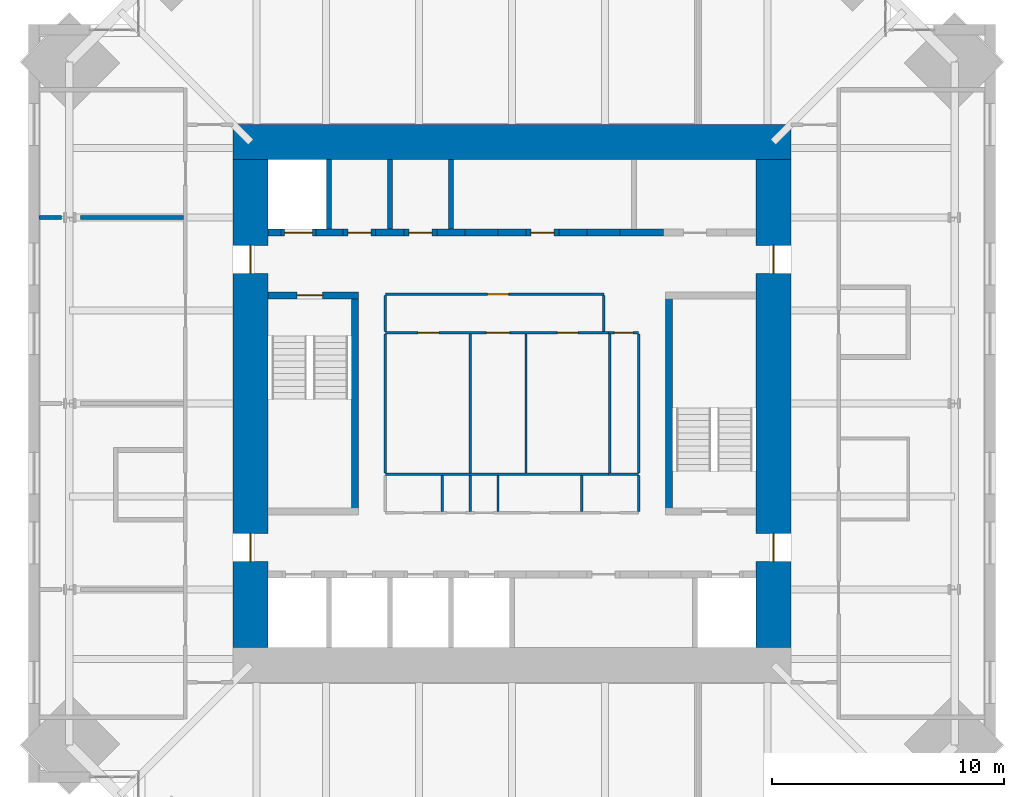
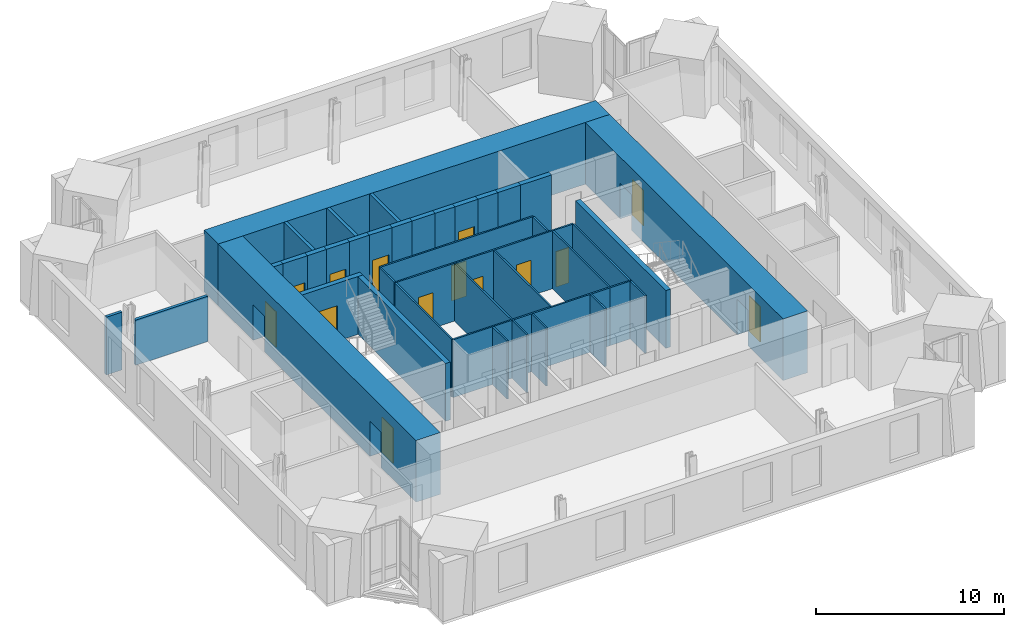
# One storey, part 12 of 15: 41 walls, 14 doors, 14 openings.
"""IFC4 building model written with IfcOpenShell, lengths in metres."""

import ifcopenshell
import ifcopenshell.guid

model = None  # the IFC model being written
_history = None  # IfcOwnerHistory: only IFC2X3 demands one
_inside = {}  # id of a spatial element -> (the spatial element, [elements in it])
_under = {}  # id of a project, library or spatial element -> (it, [spatial elements below it])
_declared = {}  # id of a project -> (the project, [libraries it declares])
_typed = {}  # id of a type object -> (the type object, [elements of that type])
_made_of = {}  # id of a material, layer set ... -> (it, [elements and type objects made of it])


def new_model(schema):
    """Start an empty IFC model of exactly this schema.

    Asked for "IFC4X3", IfcOpenShell would pick the latest addendum, in which some entities
    have other attributes; the version numbers below select the first issue.
    IFC2X3 requires an IfcOwnerHistory on every rooted entity: one is made here for all.
    """
    global model, _history
    if schema == "IFC4X3":
        model = ifcopenshell.file(schema_version=(4, 3, 0, 0))
    else:
        model = ifcopenshell.file(schema=schema)
    _inside.clear()
    _under.clear()
    _declared.clear()
    _typed.clear()
    _made_of.clear()
    _history = None
    if model.schema == "IFC2X3":
        org = make("IfcOrganization", Name="unknown")
        user = make(
            "IfcPersonAndOrganization",
            ThePerson=make("IfcPerson", FamilyName="unknown"),
            TheOrganization=org,
        )
        app = make(
            "IfcApplication",
            ApplicationDeveloper=org,
            Version="unknown",
            ApplicationFullName="unknown",
            ApplicationIdentifier="unknown",
        )
        _history = make(
            "IfcOwnerHistory",
            OwningUser=user,
            OwningApplication=app,
            ChangeAction="ADDED",
            CreationDate=0,
        )
    return model


def make(cls, **values):
    """One entity of the class cls with the attributes given. An attribute that is None is left unset."""
    return model.create_entity(
        cls, **{name: value for name, value in values.items() if value is not None}
    )


def rooted(cls, **values):
    """An entity with a GlobalId (a new one), such as an element, a storey or a relation."""
    return make(cls, GlobalId=ifcopenshell.guid.new(), OwnerHistory=_history, **values)


def si_unit(unit_type, name, prefix=None):
    """IfcSIUnit, for example si_unit("LENGTHUNIT", "METRE", prefix="MILLI")."""
    return make("IfcSIUnit", UnitType=unit_type, Prefix=prefix, Name=name)


def assignment(units):
    """IfcUnitAssignment: the units of a project."""
    return None if units is None else make("IfcUnitAssignment", Units=units)


def point(xyz):
    """IfcCartesianPoint."""
    return None if xyz is None else make("IfcCartesianPoint", Coordinates=xyz)


def direction(xyz):
    """IfcDirection."""
    return None if xyz is None else make("IfcDirection", DirectionRatios=xyz)


def frame(location, z_axis=None, x_axis=None):
    """IfcAxis2Placement3D, a coordinate frame: its origin and axes. An axis left out is left unset."""
    return make(
        "IfcAxis2Placement3D",
        Location=point(location),
        Axis=direction(z_axis),
        RefDirection=direction(x_axis),
    )


def frame_2d(location, x_axis=None):
    """IfcAxis2Placement2D, a coordinate frame in the plane: its origin and x axis."""
    return make(
        "IfcAxis2Placement2D", Location=point(location), RefDirection=direction(x_axis)
    )


def origin():
    """The frame at (0, 0, 0) with its axes left unset."""
    return frame((0.0, 0.0, 0.0))


def place(relative_to, where):
    """IfcLocalPlacement: puts the frame where relative to a parent placement (None: the world)."""
    return make(
        "IfcLocalPlacement", PlacementRelTo=relative_to, RelativePlacement=where
    )


def context(
    kind, dimensions, precision=None, world=None, true_north=None, identifier=None
):
    """IfcGeometricRepresentationContext, for example the 3D "Model" context."""
    return make(
        "IfcGeometricRepresentationContext",
        ContextIdentifier=identifier,
        ContextType=kind,
        CoordinateSpaceDimension=dimensions,
        Precision=precision,
        WorldCoordinateSystem=world,
        TrueNorth=true_north,
    )


def subcontext(parent, identifier, kind, view, scale=None):
    """IfcGeometricRepresentationSubContext, for example "Body" below "Model"."""
    return make(
        "IfcGeometricRepresentationSubContext",
        ContextIdentifier=identifier,
        ContextType=kind,
        ParentContext=parent,
        TargetScale=scale,
        TargetView=view,
    )


def project(units=None, contexts=None):
    """IfcProject with its units and contexts."""
    return rooted(
        "IfcProject",
        Name="project",
        RepresentationContexts=contexts,
        UnitsInContext=assignment(units),
    )


def spatial(cls, under=None, at=None, **own):
    """A site, building, storey or space (cls), placed at a placement, below another one or the project."""
    s = rooted(cls, ObjectPlacement=at, **own)
    if under is not None:
        _under.setdefault(under.id(), (under, []))[1].append(s)
    return s


def profile(cls, at=None, kind="AREA", **sizes):
    """A parametric profile (cls). Its sizes go by their IFC names, for example OverallWidth=200.0."""
    return make(cls, ProfileType=kind, Position=at, **sizes)


def rectangle(**sizes):
    """IfcRectangleProfileDef."""
    return profile("IfcRectangleProfileDef", **sizes)


def extrude(swept, where, along, depth):
    """IfcExtrudedAreaSolid: the profile swept, set in the frame where, extruded along a direction by depth."""
    return make(
        "IfcExtrudedAreaSolid",
        SweptArea=swept,
        Position=where,
        ExtrudedDirection=direction(along),
        Depth=depth,
    )


def shape(context_of_items, identifier, shape_type, items):
    """IfcShapeRepresentation: the items that make up one representation, for example the "Body"."""
    return make(
        "IfcShapeRepresentation",
        ContextOfItems=context_of_items,
        RepresentationIdentifier=identifier,
        RepresentationType=shape_type,
        Items=items,
    )


def material(Name=None, Category=None):
    """IfcMaterial."""
    return make("IfcMaterial", Name=Name, Category=Category)


def layer(
    of_material, thickness, ventilated=None, Name=None, Category=None, Priority=None
):
    """IfcMaterialLayer: one layer of a wall or slab, of a material (None: an air gap)."""
    return make(
        "IfcMaterialLayer",
        Material=of_material,
        LayerThickness=thickness,
        IsVentilated=ventilated,
        Name=Name,
        Category=Category,
        Priority=Priority,
    )


def layer_set(layers, Name=None):
    """IfcMaterialLayerSet."""
    return make("IfcMaterialLayerSet", MaterialLayers=layers, LayerSetName=Name)


def made_of(thing, what):
    """Note that an element or type object is made of a material, layer set ...; save() writes the relation."""
    if what is not None:
        _made_of.setdefault(what.id(), (what, []))[1].append(thing)
    return thing


def type_object(cls, material=None, **own):
    """A type object (cls), such as IfcWallType, which elements share."""
    return made_of(rooted(cls, **own), material)


def element(
    cls,
    number,
    at=None,
    inside=None,
    cuts=None,
    type_object=None,
    material=None,
    context=None,
    identifier="Body",
    shape_type=None,
    held_by="IfcProductDefinitionShape",
    body=None,
    shapes=None,
    **own,
):
    """One element of the class cls, such as IfcWall. Its Tag is "e" and its number.

    at: its placement. inside: the storey or other place that contains it. cuts: it is an
    opening in that element (IfcRelVoidsElement). A single representation is given by context,
    identifier, shape_type and body (its items); several are given by shapes. held_by: the class
    of the entity that holds the representations. save() writes the other relations.
    """
    e = rooted(cls, Tag="e%d" % number, ObjectPlacement=at, **own)
    if body is not None:
        shapes = [shape(context, identifier, shape_type, body)]
    if shapes is not None:
        e.Representation = make(held_by, Representations=shapes)
    if inside is not None:
        _inside.setdefault(inside.id(), (inside, []))[1].append(e)
    if cuts is not None:
        rooted(
            "IfcRelVoidsElement", RelatingBuildingElement=cuts, RelatedOpeningElement=e
        )
    if type_object is not None:
        _typed.setdefault(type_object.id(), (type_object, []))[1].append(e)
    return made_of(e, material)


def fill(opening, filler):
    """IfcRelFillsElement: the door or window that sits in an opening."""
    return rooted(
        "IfcRelFillsElement",
        RelatingOpeningElement=opening,
        RelatedBuildingElement=filler,
    )


def aggregate(whole, parts):
    """IfcRelAggregates: a whole, such as a stair, and the parts it consists of."""
    return rooted("IfcRelAggregates", RelatingObject=whole, RelatedObjects=parts)


def save(model, path):
    """Write the relations noted so far, then the file.

    IfcRelAggregates (storeys below a building ...), IfcRelContainedInSpatialStructure (elements
    in a storey), IfcRelDefinesByType, IfcRelAssociatesMaterial and IfcRelDeclares: one each for
    every whole, place, type object, material and project.
    """
    for whole, parts in _under.values():
        aggregate(whole, parts)
    for where, things in _inside.values():
        rooted(
            "IfcRelContainedInSpatialStructure",
            RelatedElements=things,
            RelatingStructure=where,
        )
    for kind, things in _typed.values():
        rooted("IfcRelDefinesByType", RelatedObjects=things, RelatingType=kind)
    for what, things in _made_of.values():
        rooted("IfcRelAssociatesMaterial", RelatedObjects=things, RelatingMaterial=what)
    for by, libraries in _declared.values():
        rooted("IfcRelDeclares", RelatingContext=by, RelatedDefinitions=libraries)
    model.write(path)


model = new_model("IFC4")

# Units and contexts
model_context = context("Model", 3, precision=1e-05, world=origin(), true_north=direction((0.0, 1.0)))
body_context = subcontext(model_context, "Body", "Model", "MODEL_VIEW")
ifc_project = project(units=[si_unit("LENGTHUNIT", "METRE"), si_unit("AREAUNIT", "SQUARE_METRE"), si_unit("VOLUMEUNIT", "CUBIC_METRE"), si_unit("PLANEANGLEUNIT", "RADIAN"), si_unit("MASSUNIT", "GRAM", prefix="KILO")], contexts=[model_context])

# Site, building, storey
site_placement = place(None, origin())
site = spatial("IfcSite", under=ifc_project, at=site_placement, CompositionType="ELEMENT")
building_placement = place(site_placement, origin())
building = spatial("IfcBuilding", under=site, at=building_placement, Name="Peilmerk Tower", CompositionType="ELEMENT")
storey_placement = place(building_placement, frame((0.0, 0.0, 293.800048828125)))
storey = spatial("IfcBuildingStorey", under=building, at=storey_placement, Name="L66", CompositionType="ELEMENT", Elevation=293.800048828125)

# Wall
ifc_material_1 = material(Name="Concrete C35/45", Category="concrete")
ifc_layer_1 = layer(ifc_material_1, 0.300048828125)
ifc_layer_set_1 = layer_set([ifc_layer_1], Name="Concrete C35/45")
wall_type_1 = type_object("IfcWallType", Name="IW3 300 concrete stair enclosure wall, EI 120", PredefinedType="SOLIDWALL", material=ifc_layer_set_1)
wall_1_placement = place(storey_placement, frame((-6.75, -4.800048828125, 0.0), z_axis=(0.0, 0.0, 1.0), x_axis=(0.0, 1.0, 0.0)))
element("IfcWall", 1, at=wall_1_placement, inside=storey, type_object=wall_type_1, Name="Stair 1 enclosure L66", PredefinedType="SOLIDWALL", context=body_context, shape_type="SweptSolid", body=[
    extrude(rectangle(XDim=9.60009765625, YDim=0.300048828125, at=frame_2d((4.800048828125, 0.0))), origin(), (0.0, 0.0, 1.0), 3.75),
])

# Wall, opening, door
wall_2_placement = place(storey_placement, frame((-10.5, 4.64990234375, 0.0), z_axis=(0.0, 0.0, 1.0), x_axis=(1.0, 0.0, 0.0)))
wall_2 = element("IfcWall", 2, at=wall_2_placement, inside=storey, type_object=wall_type_1, Name="Stair 1 enclosure L66", PredefinedType="SOLIDWALL", context=body_context, shape_type="SweptSolid", body=[
    extrude(rectangle(XDim=3.89990234375, YDim=0.300048828125, at=frame_2d((1.949951171875, 0.0))), origin(), (0.0, 0.0, 1.0), 3.75),
])
opening_1_placement = place(wall_2_placement, frame((1.25, 0.0, 0.0)))
opening_1 = element("IfcOpeningElement", 3, at=opening_1_placement, cuts=wall_2, Name="Opening D4", PredefinedType="OPENING", context=body_context, shape_type="SweptSolid", body=[
    extrude(rectangle(XDim=1.10009765625, YDim=2.300048828125, at=frame_2d((0.550048828125, 1.14990234375))), frame((0.0, 0.159912109375, 0.0), z_axis=(0.0, -1.0, 0.0), x_axis=(1.0, 0.0, 0.0)), (0.0, 0.0, 1.0), 0.320068359375),
])
ifc_material_2 = material(Name="Steel door in steel frame", Category="steel")
door_type_1 = type_object("IfcDoorType", Name="D4 1100x2300 stair door, EI2 60", OperationType="SINGLE_SWING_RIGHT", PredefinedType="DOOR", material=ifc_material_2)
door_1_placement = place(opening_1_placement, frame((1.10009765625, 0.0, 0.0), z_axis=(0.0, 0.0, 1.0), x_axis=(-1.0, 0.0, 0.0)))
door_1 = element("IfcDoor", 4, at=door_1_placement, inside=storey, type_object=door_type_1, Name="Stair 1 door L66", OperationType="SINGLE_SWING_RIGHT", OverallHeight=2.300048828125, OverallWidth=1.10009765625, PredefinedType="DOOR", context=body_context, shape_type="SweptSolid", body=[
    extrude(rectangle(XDim=1.10009765625, YDim=2.300048828125, at=frame_2d((0.550048828125, 1.14990234375))), frame((0.0, 0.02490234375, 0.0), z_axis=(0.0, -1.0, 0.0), x_axis=(1.0, 0.0, 0.0)), (0.0, 0.0, 1.0), 0.050048828125),
])
fill(opening_1, door_1)

# Wall
wall_3_placement = place(storey_placement, frame((6.75, -4.800048828125, 0.0), z_axis=(0.0, 0.0, 1.0), x_axis=(0.0, 1.0, 0.0)))
element("IfcWall", 5, at=wall_3_placement, inside=storey, type_object=wall_type_1, Name="Stair 2 enclosure L66", PredefinedType="SOLIDWALL", context=body_context, shape_type="SweptSolid", body=[
    extrude(rectangle(XDim=9.60009765625, YDim=0.300048828125, at=frame_2d((4.800048828125, 0.0))), origin(), (0.0, 0.0, 1.0), 3.75),
])

# Wall, openings, doors
ifc_material_3 = material(Name="Plasterboard on steel studs", Category="steel")
ifc_layer_2 = layer(ifc_material_3, 0.10009765625)
ifc_layer_set_2 = layer_set([ifc_layer_2], Name="Plasterboard on steel studs")
wall_type_2 = type_object("IfcWallType", Name="IW4 100 WC partition", PredefinedType="PARTITIONING", material=ifc_layer_set_2)
wall_4_placement = place(storey_placement, frame((-5.449951171875, 3.050048828125, 0.0), z_axis=(0.0, 0.0, 1.0), x_axis=(1.0, 0.0, 0.0)))
wall_4 = element("IfcWall", 6, at=wall_4_placement, inside=storey, type_object=wall_type_2, Name="WC wall L66", PredefinedType="PARTITIONING", context=body_context, shape_type="SweptSolid", body=[
    extrude(rectangle(XDim=9.599853515625, YDim=0.10009765625, at=frame_2d((4.7998046875, 0.0))), origin(), (0.0, 0.0, 1.0), 3.75),
])
opening_2_placement = place(wall_4_placement, frame((1.39990234375, 0.0, 0.0)))
opening_2 = element("IfcOpeningElement", 7, at=opening_2_placement, cuts=wall_4, Name="Opening D5", PredefinedType="OPENING", context=body_context, shape_type="SweptSolid", body=[
    extrude(rectangle(XDim=0.89990234375, YDim=2.300048828125, at=frame_2d((0.449951171875, 1.14990234375))), frame((0.0, 0.06005859375, 0.0), z_axis=(0.0, -1.0, 0.0), x_axis=(1.0, 0.0, 0.0)), (0.0, 0.0, 1.0), 0.1201171875),
])
opening_3_placement = place(wall_4_placement, frame((4.35009765625, 0.0, 0.0)))
opening_3 = element("IfcOpeningElement", 8, at=opening_3_placement, cuts=wall_4, Name="Opening D6", PredefinedType="OPENING", context=body_context, shape_type="SweptSolid", body=[
    extrude(rectangle(XDim=1.0, YDim=2.300048828125, at=frame_2d((0.5, 1.14990234375))), frame((0.0, 0.06005859375, 0.0), z_axis=(0.0, -1.0, 0.0), x_axis=(1.0, 0.0, 0.0)), (0.0, 0.0, 1.0), 0.1201171875),
])
opening_4_placement = place(wall_4_placement, frame((7.39990234375, 0.0, 0.0)))
opening_4 = element("IfcOpeningElement", 9, at=opening_4_placement, cuts=wall_4, Name="Opening D5", PredefinedType="OPENING", context=body_context, shape_type="SweptSolid", body=[
    extrude(rectangle(XDim=0.89990234375, YDim=2.300048828125, at=frame_2d((0.449951171875, 1.14990234375))), frame((0.0, 0.06005859375, 0.0), z_axis=(0.0, -1.0, 0.0), x_axis=(1.0, 0.0, 0.0)), (0.0, 0.0, 1.0), 0.1201171875),
])
ifc_material_4 = material(Name="Timber door in steel frame", Category="steel")
door_type_2 = type_object("IfcDoorType", Name="D5 900x2300 WC door", OperationType="SINGLE_SWING_LEFT", PredefinedType="DOOR", material=ifc_material_4)
door_2_placement = place(opening_2_placement, frame((0.89990234375, 0.0, 0.0), z_axis=(0.0, 0.0, 1.0), x_axis=(-1.0, 0.0, 0.0)))
door_2 = element("IfcDoor", 10, at=door_2_placement, inside=storey, type_object=door_type_2, Name="Female toilets door L66", OperationType="SINGLE_SWING_LEFT", OverallHeight=2.300048828125, OverallWidth=0.89990234375, PredefinedType="DOOR", context=body_context, shape_type="SweptSolid", body=[
    extrude(rectangle(XDim=0.89990234375, YDim=2.300048828125, at=frame_2d((0.449951171875, 1.14990234375))), frame((0.0, 0.02490234375, 0.0), z_axis=(0.0, -1.0, 0.0), x_axis=(1.0, 0.0, 0.0)), (0.0, 0.0, 1.0), 0.050048828125),
])
fill(opening_2, door_2)
door_3_placement = place(opening_4_placement, frame((0.89990234375, 0.0, 0.0), z_axis=(0.0, 0.0, 1.0), x_axis=(-1.0, 0.0, 0.0)))
door_3 = element("IfcDoor", 11, at=door_3_placement, inside=storey, type_object=door_type_2, Name="Male toilets door L66", OperationType="SINGLE_SWING_LEFT", OverallHeight=2.300048828125, OverallWidth=0.89990234375, PredefinedType="DOOR", context=body_context, shape_type="SweptSolid", body=[
    extrude(rectangle(XDim=0.89990234375, YDim=2.300048828125, at=frame_2d((0.449951171875, 1.14990234375))), frame((0.0, 0.02490234375, 0.0), z_axis=(0.0, -1.0, 0.0), x_axis=(1.0, 0.0, 0.0)), (0.0, 0.0, 1.0), 0.050048828125),
])
fill(opening_4, door_3)
door_type_3 = type_object("IfcDoorType", Name="D6 1000x2300 accessible WC door", OperationType="SLIDING_TO_LEFT", PredefinedType="DOOR", material=ifc_material_4)
door_4_placement = place(opening_3_placement, frame((1.0, 0.0, 0.0), z_axis=(0.0, 0.0, 1.0), x_axis=(-1.0, 0.0, 0.0)))
door_4 = element("IfcDoor", 12, at=door_4_placement, inside=storey, type_object=door_type_3, Name="Accessible WC door L66", OperationType="SLIDING_TO_LEFT", OverallHeight=2.300048828125, OverallWidth=1.0, PredefinedType="DOOR", context=body_context, shape_type="SweptSolid", body=[
    extrude(rectangle(XDim=1.0, YDim=2.300048828125, at=frame_2d((0.5, 1.14990234375))), frame((0.0, 0.02490234375, 0.0), z_axis=(0.0, -1.0, 0.0), x_axis=(1.0, 0.0, 0.0)), (0.0, 0.0, 1.0), 0.050048828125),
])
fill(opening_3, door_4)

# Walls
wall_5_placement = place(storey_placement, frame((4.14990234375, -3.050048828125, 0.0), z_axis=(0.0, 0.0, 1.0), x_axis=(-1.0, 0.0, 0.0)))
element("IfcWall", 13, at=wall_5_placement, inside=storey, type_object=wall_type_2, Name="WC wall L66", PredefinedType="PARTITIONING", context=body_context, shape_type="SweptSolid", body=[
    extrude(rectangle(XDim=9.599853515625, YDim=0.10009765625, at=frame_2d((4.7998046875, 0.0))), origin(), (0.0, 0.0, 1.0), 3.75),
])
for number, where, z_axis, x_axis, name in (
    (14, (-5.449951171875, -3.0, 0.0), (0.0, 0.0, 1.0), (0.0, 1.0, 0.0), "WC wall L66"),
    (15, (-1.800048828125, -3.0, 0.0), (0.0, 0.0, 1.0), (0.0, 1.0, 0.0), "WC wall L66"),
    (16, (0.60009765625, -3.0, 0.0), (0.0, 0.0, 1.0), (0.0, 1.0, 0.0), "WC wall L66"),
):
    element("IfcWall", number, at=place(storey_placement, frame(where, z_axis=z_axis, x_axis=x_axis)), inside=storey, type_object=wall_type_2, Name=name, PredefinedType="PARTITIONING", context=body_context, shape_type="SweptSolid", body=[
        extrude(rectangle(XDim=6.0, YDim=0.10009765625, at=frame_2d((3.0, 0.0))), origin(), (0.0, 0.0, 1.0), 3.75),
    ])

# Wall, opening, door
ifc_material_5 = material(Name="Calcium silicate board on steel studs", Category="steel")
ifc_layer_3 = layer(ifc_material_5, 0.10009765625)
ifc_layer_set_3 = layer_set([ifc_layer_3], Name="Calcium silicate board on steel studs")
wall_type_3 = type_object("IfcWallType", Name="IW5 100 riser enclosure wall, EI 60", PredefinedType="PARTITIONING", material=ifc_layer_set_3)
wall_6_placement = place(storey_placement, frame((4.14990234375, 3.050048828125, 0.0), z_axis=(0.0, 0.0, 1.0), x_axis=(1.0, 0.0, 0.0)))
wall_6 = element("IfcWall", 17, at=wall_6_placement, inside=storey, type_object=wall_type_3, Name="Riser wall L66", PredefinedType="PARTITIONING", context=body_context, shape_type="SweptSolid", body=[
    extrude(rectangle(XDim=1.300048828125, YDim=0.10009765625, at=frame_2d((0.64990234375, 0.0))), origin(), (0.0, 0.0, 1.0), 3.75),
])
opening_5_placement = place(wall_6_placement, frame((0.25, 0.0, 0.0)))
opening_5 = element("IfcOpeningElement", 18, at=opening_5_placement, cuts=wall_6, Name="Opening D7", PredefinedType="OPENING", context=body_context, shape_type="SweptSolid", body=[
    extrude(rectangle(XDim=0.800048828125, YDim=2.300048828125, at=frame_2d((0.39990234375, 1.14990234375))), frame((0.0, 0.06005859375, 0.0), z_axis=(0.0, -1.0, 0.0), x_axis=(1.0, 0.0, 0.0)), (0.0, 0.0, 1.0), 0.1201171875),
])
door_type_4 = type_object("IfcDoorType", Name="D7 800x2300 riser access door, EI2 60", OperationType="SINGLE_SWING_RIGHT", PredefinedType="DOOR", material=ifc_material_2)
door_5_placement = place(opening_5_placement, frame((0.800048828125, 0.0, 0.0), z_axis=(0.0, 0.0, 1.0), x_axis=(-1.0, 0.0, 0.0)))
door_5 = element("IfcDoor", 19, at=door_5_placement, inside=storey, type_object=door_type_4, Name="Plumbing riser door L66", OperationType="SINGLE_SWING_RIGHT", OverallHeight=2.300048828125, OverallWidth=0.800048828125, PredefinedType="DOOR", context=body_context, shape_type="SweptSolid", body=[
    extrude(rectangle(XDim=0.800048828125, YDim=2.300048828125, at=frame_2d((0.39990234375, 1.14990234375))), frame((0.0, 0.02490234375, 0.0), z_axis=(0.0, -1.0, 0.0), x_axis=(1.0, 0.0, 0.0)), (0.0, 0.0, 1.0), 0.050048828125),
])
fill(opening_5, door_5)

# Walls
wall_7_placement = place(storey_placement, frame((5.449951171875, -3.050048828125, 0.0), z_axis=(0.0, 0.0, 1.0), x_axis=(-1.0, 0.0, 0.0)))
element("IfcWall", 20, at=wall_7_placement, inside=storey, type_object=wall_type_3, Name="Riser wall L66", PredefinedType="PARTITIONING", context=body_context, shape_type="SweptSolid", body=[
    extrude(rectangle(XDim=1.300048828125, YDim=0.10009765625, at=frame_2d((0.64990234375, 0.0))), origin(), (0.0, 0.0, 1.0), 3.75),
])
for number, where, z_axis, x_axis, name in (
    (21, (5.449951171875, 3.0, 0.0), (0.0, 0.0, 1.0), (0.0, -1.0, 0.0), "Riser wall L66"),
    (22, (4.199951171875, -3.0, 0.0), (0.0, 0.0, 1.0), (0.0, 1.0, 0.0), "Riser wall L66"),
):
    element("IfcWall", number, at=place(storey_placement, frame(where, z_axis=z_axis, x_axis=x_axis)), inside=storey, type_object=wall_type_3, Name=name, PredefinedType="PARTITIONING", context=body_context, shape_type="SweptSolid", body=[
        extrude(rectangle(XDim=6.0, YDim=0.10009765625, at=frame_2d((3.0, 0.0))), origin(), (0.0, 0.0, 1.0), 3.75),
    ])
for number, where, z_axis, x_axis, name in (
    (23, (5.449951171875, -3.10009765625, 0.0), (0.0, 0.0, 1.0), (0.0, -1.0, 0.0), "Riser wall L66"),
    (24, (-3.0, -3.10009765625, 0.0), (0.0, 0.0, 1.0), (0.0, -1.0, 0.0), "Riser wall L66"),
    (25, (-1.800048828125, -3.10009765625, 0.0), (0.0, 0.0, 1.0), (0.0, -1.0, 0.0), "Riser wall L66"),
    (26, (-0.60009765625, -3.10009765625, 0.0), (0.0, 0.0, 1.0), (0.0, -1.0, 0.0), "Riser wall L66"),
    (27, (3.0, -3.10009765625, 0.0), (0.0, 0.0, 1.0), (0.0, -1.0, 0.0), "Riser wall L66"),
):
    element("IfcWall", number, at=place(storey_placement, frame(where, z_axis=z_axis, x_axis=x_axis)), inside=storey, type_object=wall_type_3, Name=name, PredefinedType="PARTITIONING", context=body_context, shape_type="SweptSolid", body=[
        extrude(rectangle(XDim=1.5498046875, YDim=0.10009765625, at=frame_2d((0.77490234375, 0.0))), origin(), (0.0, 0.0, 1.0), 3.75),
    ])
ifc_material_6 = material(Name="Calcium silicate block", Category="masonry")
ifc_layer_4 = layer(ifc_material_6, 0.175048828125)
ifc_layer_set_4 = layer_set([ifc_layer_4], Name="Calcium silicate block")
wall_type_4 = type_object("IfcWallType", Name="IW8 175 tenant separating wall, EI 60", PredefinedType="PARTITIONING", material=ifc_layer_set_4)
wall_8_placement = place(storey_placement, frame((-14.125, 8.0, 0.0), z_axis=(0.0, 0.0, 1.0), x_axis=(-1.0, 0.0, 0.0)))
element("IfcWall", 28, at=wall_8_placement, inside=storey, type_object=wall_type_4, Name="Tenant separating wall W3 L66", PredefinedType="PARTITIONING", context=body_context, shape_type="SweptSolid", body=[
    extrude(rectangle(XDim=4.43408203125, YDim=0.175048828125, at=frame_2d((2.217041015625, 0.0))), origin(), (0.0, 0.0, 1.0), 2.93603515625),
])
wall_9_placement = place(storey_placement, frame((-19.379638671875, 8.0, 0.0), z_axis=(0.0, 0.0, 1.0), x_axis=(-1.0, 0.0, 0.0)))
element("IfcWall", 29, at=wall_9_placement, inside=storey, type_object=wall_type_4, Name="Tenant separating wall W3b L66", PredefinedType="PARTITIONING", context=body_context, shape_type="SweptSolid", body=[
    extrude(rectangle(XDim=0.970458984375, YDim=0.175048828125, at=frame_2d((0.4853515625, 0.0))), origin(), (0.0, 0.0, 1.0), 3.75),
])

# Wall, opening, door
ifc_material_7 = material(Name="Fire-resisting plasterboard on steel studs", Category="steel")
ifc_layer_5 = layer(ifc_material_7, 0.10009765625)
ifc_layer_set_5 = layer_set([ifc_layer_5], Name="Fire-resisting plasterboard on steel studs")
wall_type_5 = type_object("IfcWallType", Name="IW9 100 WC lobby wall, EI 30", PredefinedType="PARTITIONING", material=ifc_layer_set_5)
wall_10_placement = place(storey_placement, frame((-5.449951171875, 4.699951171875, 0.0), z_axis=(0.0, 0.0, 1.0), x_axis=(1.0, 0.0, 0.0)))
wall_10 = element("IfcWall", 30, at=wall_10_placement, inside=storey, type_object=wall_type_5, Name="WC lobby wall L66", PredefinedType="PARTITIONING", context=body_context, shape_type="SweptSolid", body=[
    extrude(rectangle(XDim=9.39990234375, YDim=0.10009765625, at=frame_2d((4.699951171875, 0.0))), origin(), (0.0, 0.0, 1.0), 3.75),
])
opening_6_placement = place(wall_10_placement, frame((4.39990234375, 0.0, 0.0)))
opening_6 = element("IfcOpeningElement", 31, at=opening_6_placement, cuts=wall_10, Name="Opening D11", PredefinedType="OPENING", context=body_context, shape_type="SweptSolid", body=[
    extrude(rectangle(XDim=0.89990234375, YDim=2.300048828125, at=frame_2d((0.449951171875, 1.14990234375))), frame((0.0, 0.06005859375, 0.0), z_axis=(0.0, -1.0, 0.0), x_axis=(1.0, 0.0, 0.0)), (0.0, 0.0, 1.0), 0.1201171875),
])
door_type_5 = type_object("IfcDoorType", Name="D11 900x2300 WC lobby door, EI2 30", OperationType="SINGLE_SWING_LEFT", PredefinedType="DOOR", material=ifc_material_4)
door_6_placement = place(opening_6_placement, frame((0.89990234375, 0.0, 0.0), z_axis=(0.0, 0.0, 1.0), x_axis=(-1.0, 0.0, 0.0)))
door_6 = element("IfcDoor", 32, at=door_6_placement, inside=storey, type_object=door_type_5, Name="WC lobby door L66", OperationType="SINGLE_SWING_LEFT", OverallHeight=2.300048828125, OverallWidth=0.89990234375, PredefinedType="DOOR", context=body_context, shape_type="SweptSolid", body=[
    extrude(rectangle(XDim=0.89990234375, YDim=2.300048828125, at=frame_2d((0.449951171875, 1.14990234375))), frame((0.0, 0.02490234375, 0.0), z_axis=(0.0, -1.0, 0.0), x_axis=(1.0, 0.0, 0.0)), (0.0, 0.0, 1.0), 0.050048828125),
])
fill(opening_6, door_6)

# Walls
for number, where, z_axis, x_axis, name in (
    (33, (-5.449951171875, 3.10009765625, 0.0), (0.0, 0.0, 1.0), (0.0, 1.0, 0.0), "WC lobby wall L66"),
    (34, (3.949951171875, 3.10009765625, 0.0), (0.0, 0.0, 1.0), (0.0, 1.0, 0.0), "WC lobby wall L66"),
):
    element("IfcWall", number, at=place(storey_placement, frame(where, z_axis=z_axis, x_axis=x_axis)), inside=storey, type_object=wall_type_5, Name=name, PredefinedType="PARTITIONING", context=body_context, shape_type="SweptSolid", body=[
        extrude(rectangle(XDim=1.5498046875, YDim=0.10009765625, at=frame_2d((0.77490234375, 0.0))), origin(), (0.0, 0.0, 1.0), 3.75),
    ])
ifc_layer_6 = layer(ifc_material_6, 0.199951171875)
ifc_layer_set_6 = layer_set([ifc_layer_6], Name="Calcium silicate block")
wall_type_6 = type_object("IfcWallType", Name="SH1 200 shaft dividing wall, EI 120", PredefinedType="PARTITIONING", material=ifc_layer_set_6)
for number, where, z_axis, x_axis, name in (
    (35, (-7.875, 7.5, 0.0), (0.0, 0.0, 1.0), (0.0, 1.0, 0.0), "Shaft wall N FL1 L66"),
    (36, (-5.25, 7.5, 0.0), (0.0, 0.0, 1.0), (0.0, 1.0, 0.0), "Shaft wall N A1 L66"),
    (37, (-2.625, 7.5, 0.0), (0.0, 0.0, 1.0), (0.0, 1.0, 0.0), "Shaft wall N A2 L66"),
):
    element("IfcWall", number, at=place(storey_placement, frame(where, z_axis=z_axis, x_axis=x_axis)), inside=storey, type_object=wall_type_6, Name=name, PredefinedType="PARTITIONING", context=body_context, shape_type="SweptSolid", body=[
        extrude(rectangle(XDim=3.0, YDim=0.199951171875, at=frame_2d((1.5, 0.0))), origin(), (0.0, 0.0, 1.0), 4.0),
    ])

# Wall, opening, door
ifc_layer_7 = layer(ifc_material_6, 0.300048828125)
ifc_layer_set_7 = layer_set([ifc_layer_7], Name="Calcium silicate block")
wall_type_7 = type_object("IfcWallType", Name="SH2 300 lift landing door panel, EI 120", PredefinedType="PARTITIONING", material=ifc_layer_set_7)
wall_11_placement = place(storey_placement, frame((-9.9375, 7.35009765625, 0.0), z_axis=(0.0, 0.0, 1.0), x_axis=(1.0, 0.0, 0.0)))
wall_11 = element("IfcWall", 38, at=wall_11_placement, inside=storey, type_object=wall_type_7, Name="Lift door panel N FL1 L66", PredefinedType="PARTITIONING", context=body_context, shape_type="SweptSolid", body=[
    extrude(rectangle(XDim=1.5, YDim=0.300048828125, at=frame_2d((0.75, 0.0))), origin(), (0.0, 0.0, 1.0), 4.0),
])
opening_7_placement = place(wall_11_placement, frame((0.14990234375, 0.0, 0.0)))
opening_7 = element("IfcOpeningElement", 39, at=opening_7_placement, cuts=wall_11, Name="Opening LD2", PredefinedType="OPENING", context=body_context, shape_type="SweptSolid", body=[
    extrude(rectangle(XDim=1.199951171875, YDim=2.300048828125, at=frame_2d((0.60009765625, 1.14990234375))), frame((0.0, 0.159912109375, 0.0), z_axis=(0.0, -1.0, 0.0), x_axis=(1.0, 0.0, 0.0)), (0.0, 0.0, 1.0), 0.320068359375),
])
ifc_material_8 = material(Name="Stainless steel landing door", Category="steel")
door_type_6 = type_object("IfcDoorType", Name="LD2 1200x2300 lift landing door, sliding, EI2 60", OperationType="SLIDING_TO_LEFT", PredefinedType="DOOR", material=ifc_material_8)
door_7_placement = place(opening_7_placement, frame((1.199951171875, 0.0, 0.0), z_axis=(0.0, 0.0, 1.0), x_axis=(-1.0, 0.0, 0.0)))
door_7 = element("IfcDoor", 40, at=door_7_placement, inside=storey, type_object=door_type_6, Name="Lift landing door FL1 L66", OperationType="SLIDING_TO_LEFT", OverallHeight=2.300048828125, OverallWidth=1.199951171875, PredefinedType="DOOR", context=body_context, shape_type="SweptSolid", body=[
    extrude(rectangle(XDim=1.199951171875, YDim=2.300048828125, at=frame_2d((0.60009765625, 1.14990234375))), frame((0.0, 0.02490234375, 0.0), z_axis=(0.0, -1.0, 0.0), x_axis=(1.0, 0.0, 0.0)), (0.0, 0.0, 1.0), 0.050048828125),
])
fill(opening_7, door_7)

wall_12_placement = place(storey_placement, frame((-7.262451171875, 7.35009765625, 0.0), z_axis=(0.0, 0.0, 1.0), x_axis=(1.0, 0.0, 0.0)))
wall_12 = element("IfcWall", 41, at=wall_12_placement, inside=storey, type_object=wall_type_7, Name="Lift door panel N A1 L66", PredefinedType="PARTITIONING", context=body_context, shape_type="SweptSolid", body=[
    extrude(rectangle(XDim=1.39990234375, YDim=0.300048828125, at=frame_2d((0.699951171875, 0.0))), origin(), (0.0, 0.0, 1.0), 4.0),
])
opening_8_placement = place(wall_12_placement, frame((0.199951171875, 0.0, 0.0)))
opening_8 = element("IfcOpeningElement", 42, at=opening_8_placement, cuts=wall_12, Name="Opening D10", PredefinedType="OPENING", context=body_context, shape_type="SweptSolid", body=[
    extrude(rectangle(XDim=1.0, YDim=2.300048828125, at=frame_2d((0.5, 1.14990234375))), frame((0.0, 0.159912109375, 0.0), z_axis=(0.0, -1.0, 0.0), x_axis=(1.0, 0.0, 0.0)), (0.0, 0.0, 1.0), 0.320068359375),
])
door_type_7 = type_object("IfcDoorType", Name="D10 1000x2300 core room door, EI2 60", OperationType="SINGLE_SWING_RIGHT", PredefinedType="DOOR", material=ifc_material_2)
door_8_placement = place(opening_8_placement, origin())
door_8 = element("IfcDoor", 43, at=door_8_placement, inside=storey, type_object=door_type_7, Name="Door Electrical room L66", OperationType="SINGLE_SWING_RIGHT", OverallHeight=2.300048828125, OverallWidth=1.0, PredefinedType="DOOR", context=body_context, shape_type="SweptSolid", body=[
    extrude(rectangle(XDim=1.0, YDim=2.300048828125, at=frame_2d((0.5, 1.14990234375))), frame((0.0, 0.02490234375, 0.0), z_axis=(0.0, -1.0, 0.0), x_axis=(1.0, 0.0, 0.0)), (0.0, 0.0, 1.0), 0.050048828125),
])
fill(opening_8, door_8)

wall_13_placement = place(storey_placement, frame((-4.637451171875, 7.35009765625, 0.0), z_axis=(0.0, 0.0, 1.0), x_axis=(1.0, 0.0, 0.0)))
wall_13 = element("IfcWall", 44, at=wall_13_placement, inside=storey, type_object=wall_type_7, Name="Lift door panel N A2 L66", PredefinedType="PARTITIONING", context=body_context, shape_type="SweptSolid", body=[
    extrude(rectangle(XDim=1.39990234375, YDim=0.300048828125, at=frame_2d((0.699951171875, 0.0))), origin(), (0.0, 0.0, 1.0), 4.0),
])
opening_9_placement = place(wall_13_placement, frame((0.199951171875, 0.0, 0.0)))
opening_9 = element("IfcOpeningElement", 45, at=opening_9_placement, cuts=wall_13, Name="Opening D10", PredefinedType="OPENING", context=body_context, shape_type="SweptSolid", body=[
    extrude(rectangle(XDim=1.0, YDim=2.300048828125, at=frame_2d((0.5, 1.14990234375))), frame((0.0, 0.159912109375, 0.0), z_axis=(0.0, -1.0, 0.0), x_axis=(1.0, 0.0, 0.0)), (0.0, 0.0, 1.0), 0.320068359375),
])
door_9_placement = place(opening_9_placement, origin())
door_9 = element("IfcDoor", 46, at=door_9_placement, inside=storey, type_object=door_type_7, Name="Door Staff WC L66", OperationType="SINGLE_SWING_RIGHT", OverallHeight=2.300048828125, OverallWidth=1.0, PredefinedType="DOOR", context=body_context, shape_type="SweptSolid", body=[
    extrude(rectangle(XDim=1.0, YDim=2.300048828125, at=frame_2d((0.5, 1.14990234375))), frame((0.0, 0.02490234375, 0.0), z_axis=(0.0, -1.0, 0.0), x_axis=(1.0, 0.0, 0.0)), (0.0, 0.0, 1.0), 0.050048828125),
])
fill(opening_9, door_9)

# Wall
wall_14_placement = place(storey_placement, frame((-2.012451171875, 7.35009765625, 0.0), z_axis=(0.0, 0.0, 1.0), x_axis=(1.0, 0.0, 0.0)))
element("IfcWall", 47, at=wall_14_placement, inside=storey, type_object=wall_type_7, Name="Lift door panel N A3 L66", PredefinedType="PARTITIONING", context=body_context, shape_type="SweptSolid", body=[
    extrude(rectangle(XDim=1.39990234375, YDim=0.300048828125, at=frame_2d((0.699951171875, 0.0))), origin(), (0.0, 0.0, 1.0), 4.0),
])

# Wall, opening, door
wall_15_placement = place(storey_placement, frame((0.612548828125, 7.35009765625, 0.0), z_axis=(0.0, 0.0, 1.0), x_axis=(1.0, 0.0, 0.0)))
wall_15 = element("IfcWall", 48, at=wall_15_placement, inside=storey, type_object=wall_type_7, Name="Lift door panel N S1 L66", PredefinedType="PARTITIONING", context=body_context, shape_type="SweptSolid", body=[
    extrude(rectangle(XDim=1.39990234375, YDim=0.300048828125, at=frame_2d((0.699951171875, 0.0))), origin(), (0.0, 0.0, 1.0), 4.0),
])
opening_10_placement = place(wall_15_placement, frame((0.199951171875, 0.0, 0.0)))
opening_10 = element("IfcOpeningElement", 49, at=opening_10_placement, cuts=wall_15, Name="Opening D10", PredefinedType="OPENING", context=body_context, shape_type="SweptSolid", body=[
    extrude(rectangle(XDim=1.0, YDim=2.300048828125, at=frame_2d((0.5, 1.14990234375))), frame((0.0, 0.159912109375, 0.0), z_axis=(0.0, -1.0, 0.0), x_axis=(1.0, 0.0, 0.0)), (0.0, 0.0, 1.0), 0.320068359375),
])
door_10_placement = place(opening_10_placement, origin())
door_10 = element("IfcDoor", 50, at=door_10_placement, inside=storey, type_object=door_type_7, Name="Door Staff room L66", OperationType="SINGLE_SWING_RIGHT", OverallHeight=2.300048828125, OverallWidth=1.0, PredefinedType="DOOR", context=body_context, shape_type="SweptSolid", body=[
    extrude(rectangle(XDim=1.0, YDim=2.300048828125, at=frame_2d((0.5, 1.14990234375))), frame((0.0, 0.02490234375, 0.0), z_axis=(0.0, -1.0, 0.0), x_axis=(1.0, 0.0, 0.0)), (0.0, 0.0, 1.0), 0.050048828125),
])
fill(opening_10, door_10)

# Walls
wall_16_placement = place(storey_placement, frame((3.237548828125, 7.35009765625, 0.0), z_axis=(0.0, 0.0, 1.0), x_axis=(1.0, 0.0, 0.0)))
element("IfcWall", 51, at=wall_16_placement, inside=storey, type_object=wall_type_7, Name="Lift door panel N S2 L66", PredefinedType="PARTITIONING", context=body_context, shape_type="SweptSolid", body=[
    extrude(rectangle(XDim=1.39990234375, YDim=0.300048828125, at=frame_2d((0.699951171875, 0.0))), origin(), (0.0, 0.0, 1.0), 4.0),
])
ifc_material_9 = material(Name="Concrete C55/67", Category="concrete")
ifc_layer_8 = layer(ifc_material_9, 1.5)
ifc_layer_set_8 = layer_set([ifc_layer_8], Name="Concrete C55/67")
wall_type_8 = type_object("IfcWallType", Name="SW1 1500 core wall", PredefinedType="SHEAR", material=ifc_layer_set_8)
wall_17_placement = place(storey_placement, frame((-12.0, 11.25, 0.0), z_axis=(0.0, 0.0, 1.0), x_axis=(1.0, 0.0, 0.0)))
element("IfcWall", 52, at=wall_17_placement, inside=storey, type_object=wall_type_8, Name="Core wall N L66", PredefinedType="SHEAR", context=body_context, shape_type="SweptSolid", body=[
    extrude(rectangle(XDim=24.0, YDim=1.5, at=frame_2d((12.0, 0.0))), origin(), (0.0, 0.0, 1.0), 4.0),
])

# Wall, openings, doors
wall_18_placement = place(storey_placement, frame((11.25, 10.5, 0.0), z_axis=(0.0, 0.0, 1.0), x_axis=(0.0, -1.0, 0.0)))
wall_18 = element("IfcWall", 53, at=wall_18_placement, inside=storey, type_object=wall_type_8, Name="Core wall E L66", PredefinedType="SHEAR", context=body_context, shape_type="SweptSolid", body=[
    extrude(rectangle(XDim=21.0, YDim=1.5, at=frame_2d((10.5, 0.0))), origin(), (0.0, 0.0, 1.0), 4.0),
])
opening_11_placement = place(wall_18_placement, frame((3.699951171875, 0.0, 0.0)))
opening_11 = element("IfcOpeningElement", 54, at=opening_11_placement, cuts=wall_18, Name="Opening D3", PredefinedType="OPENING", context=body_context, shape_type="SweptSolid", body=[
    extrude(rectangle(XDim=1.199951171875, YDim=2.300048828125, at=frame_2d((0.60009765625, 1.14990234375))), frame((0.0, 0.760009765625, 0.0), z_axis=(0.0, -1.0, 0.0), x_axis=(1.0, 0.0, 0.0)), (0.0, 0.0, 1.0), 1.52001953125),
])
opening_12_placement = place(wall_18_placement, frame((16.10009765625, 0.0, 0.0)))
opening_12 = element("IfcOpeningElement", 55, at=opening_12_placement, cuts=wall_18, Name="Opening D3", PredefinedType="OPENING", context=body_context, shape_type="SweptSolid", body=[
    extrude(rectangle(XDim=1.199951171875, YDim=2.300048828125, at=frame_2d((0.60009765625, 1.14990234375))), frame((0.0, 0.760009765625, 0.0), z_axis=(0.0, -1.0, 0.0), x_axis=(1.0, 0.0, 0.0)), (0.0, 0.0, 1.0), 1.52001953125),
])
door_type_8 = type_object("IfcDoorType", Name="D3 1200x2300 core door, EI2 60", OperationType="SINGLE_SWING_LEFT", PredefinedType="DOOR", material=ifc_material_2)
door_11_placement = place(opening_11_placement, frame((1.199951171875, 0.0, 0.0), z_axis=(0.0, 0.0, 1.0), x_axis=(-1.0, 0.0, 0.0)))
door_11 = element("IfcDoor", 56, at=door_11_placement, inside=storey, type_object=door_type_8, Name="Core door L66", OperationType="SINGLE_SWING_LEFT", OverallHeight=2.300048828125, OverallWidth=1.199951171875, PredefinedType="DOOR", context=body_context, shape_type="SweptSolid", body=[
    extrude(rectangle(XDim=1.199951171875, YDim=2.300048828125, at=frame_2d((0.60009765625, 1.14990234375))), frame((0.0, 0.02490234375, 0.0), z_axis=(0.0, -1.0, 0.0), x_axis=(1.0, 0.0, 0.0)), (0.0, 0.0, 1.0), 0.050048828125),
])
fill(opening_11, door_11)
door_12_placement = place(opening_12_placement, frame((1.199951171875, 0.0, 0.0), z_axis=(0.0, 0.0, 1.0), x_axis=(-1.0, 0.0, 0.0)))
door_12 = element("IfcDoor", 57, at=door_12_placement, inside=storey, type_object=door_type_8, Name="Core door L66", OperationType="SINGLE_SWING_LEFT", OverallHeight=2.300048828125, OverallWidth=1.199951171875, PredefinedType="DOOR", context=body_context, shape_type="SweptSolid", body=[
    extrude(rectangle(XDim=1.199951171875, YDim=2.300048828125, at=frame_2d((0.60009765625, 1.14990234375))), frame((0.0, 0.02490234375, 0.0), z_axis=(0.0, -1.0, 0.0), x_axis=(1.0, 0.0, 0.0)), (0.0, 0.0, 1.0), 0.050048828125),
])
fill(opening_12, door_12)

wall_19_placement = place(storey_placement, frame((-11.25, -10.5, 0.0), z_axis=(0.0, 0.0, 1.0), x_axis=(0.0, 1.0, 0.0)))
wall_19 = element("IfcWall", 58, at=wall_19_placement, inside=storey, type_object=wall_type_8, Name="Core wall W L66", PredefinedType="SHEAR", context=body_context, shape_type="SweptSolid", body=[
    extrude(rectangle(XDim=21.0, YDim=1.5, at=frame_2d((10.5, 0.0))), origin(), (0.0, 0.0, 1.0), 4.0),
])
opening_13_placement = place(wall_19_placement, frame((16.10009765625, 0.0, 0.0)))
opening_13 = element("IfcOpeningElement", 59, at=opening_13_placement, cuts=wall_19, Name="Opening D3", PredefinedType="OPENING", context=body_context, shape_type="SweptSolid", body=[
    extrude(rectangle(XDim=1.199951171875, YDim=2.300048828125, at=frame_2d((0.60009765625, 1.14990234375))), frame((0.0, 0.760009765625, 0.0), z_axis=(0.0, -1.0, 0.0), x_axis=(1.0, 0.0, 0.0)), (0.0, 0.0, 1.0), 1.52001953125),
])
opening_14_placement = place(wall_19_placement, frame((3.699951171875, 0.0, 0.0)))
opening_14 = element("IfcOpeningElement", 60, at=opening_14_placement, cuts=wall_19, Name="Opening D3", PredefinedType="OPENING", context=body_context, shape_type="SweptSolid", body=[
    extrude(rectangle(XDim=1.199951171875, YDim=2.300048828125, at=frame_2d((0.60009765625, 1.14990234375))), frame((0.0, 0.760009765625, 0.0), z_axis=(0.0, -1.0, 0.0), x_axis=(1.0, 0.0, 0.0)), (0.0, 0.0, 1.0), 1.52001953125),
])
door_13_placement = place(opening_13_placement, frame((1.199951171875, 0.0, 0.0), z_axis=(0.0, 0.0, 1.0), x_axis=(-1.0, 0.0, 0.0)))
door_13 = element("IfcDoor", 61, at=door_13_placement, inside=storey, type_object=door_type_8, Name="Core door L66", OperationType="SINGLE_SWING_LEFT", OverallHeight=2.300048828125, OverallWidth=1.199951171875, PredefinedType="DOOR", context=body_context, shape_type="SweptSolid", body=[
    extrude(rectangle(XDim=1.199951171875, YDim=2.300048828125, at=frame_2d((0.60009765625, 1.14990234375))), frame((0.0, 0.02490234375, 0.0), z_axis=(0.0, -1.0, 0.0), x_axis=(1.0, 0.0, 0.0)), (0.0, 0.0, 1.0), 0.050048828125),
])
fill(opening_13, door_13)
door_14_placement = place(opening_14_placement, frame((1.199951171875, 0.0, 0.0), z_axis=(0.0, 0.0, 1.0), x_axis=(-1.0, 0.0, 0.0)))
door_14 = element("IfcDoor", 62, at=door_14_placement, inside=storey, type_object=door_type_8, Name="Core door L66", OperationType="SINGLE_SWING_LEFT", OverallHeight=2.300048828125, OverallWidth=1.199951171875, PredefinedType="DOOR", context=body_context, shape_type="SweptSolid", body=[
    extrude(rectangle(XDim=1.199951171875, YDim=2.300048828125, at=frame_2d((0.60009765625, 1.14990234375))), frame((0.0, 0.02490234375, 0.0), z_axis=(0.0, -1.0, 0.0), x_axis=(1.0, 0.0, 0.0)), (0.0, 0.0, 1.0), 0.050048828125),
])
fill(opening_14, door_14)

# Walls
ifc_layer_9 = layer(ifc_material_9, 0.300048828125)
ifc_layer_set_9 = layer_set([ifc_layer_9], Name="Concrete C55/67")
wall_type_9 = type_object("IfcWallType", Name="SW2 300 lift bank pier", PredefinedType="SHEAR", material=ifc_layer_set_9)
wall_20_placement = place(storey_placement, frame((-10.5, 7.35009765625, 0.0), z_axis=(0.0, 0.0, 1.0), x_axis=(1.0, 0.0, 0.0)))
element("IfcWall", 63, at=wall_20_placement, inside=storey, type_object=wall_type_9, Name="Lift bank pier N L66", PredefinedType="SHEAR", context=body_context, shape_type="SweptSolid", body=[
    extrude(rectangle(XDim=0.5625, YDim=0.300048828125, at=frame_2d((0.28125, 0.0))), origin(), (0.0, 0.0, 1.0), 4.0),
])
wall_21_placement = place(storey_placement, frame((-8.4375, 7.35009765625, 0.0), z_axis=(0.0, 0.0, 1.0), x_axis=(1.0, 0.0, 0.0)))
element("IfcWall", 64, at=wall_21_placement, inside=storey, type_object=wall_type_9, Name="Lift bank pier N L66", PredefinedType="SHEAR", context=body_context, shape_type="SweptSolid", body=[
    extrude(rectangle(XDim=1.175048828125, YDim=0.300048828125, at=frame_2d((0.58740234375, 0.0))), origin(), (0.0, 0.0, 1.0), 4.0),
])
for number, where, z_axis, x_axis, name in (
    (65, (-5.862548828125, 7.35009765625, 0.0), (0.0, 0.0, 1.0), (1.0, 0.0, 0.0), "Lift bank pier N L66"),
    (66, (-3.237548828125, 7.35009765625, 0.0), (0.0, 0.0, 1.0), (1.0, 0.0, 0.0), "Lift bank pier N L66"),
    (67, (-0.612548828125, 7.35009765625, 0.0), (0.0, 0.0, 1.0), (1.0, 0.0, 0.0), "Lift bank pier N L66"),
    (68, (2.012451171875, 7.35009765625, 0.0), (0.0, 0.0, 1.0), (1.0, 0.0, 0.0), "Lift bank pier N L66"),
):
    element("IfcWall", number, at=place(storey_placement, frame(where, z_axis=z_axis, x_axis=x_axis)), inside=storey, type_object=wall_type_9, Name=name, PredefinedType="SHEAR", context=body_context, shape_type="SweptSolid", body=[
        extrude(rectangle(XDim=1.22509765625, YDim=0.300048828125, at=frame_2d((0.612548828125, 0.0))), origin(), (0.0, 0.0, 1.0), 4.0),
    ])
wall_22_placement = place(storey_placement, frame((4.637451171875, 7.35009765625, 0.0), z_axis=(0.0, 0.0, 1.0), x_axis=(1.0, 0.0, 0.0)))
element("IfcWall", 69, at=wall_22_placement, inside=storey, type_object=wall_type_9, Name="Lift bank pier N L66", PredefinedType="SHEAR", context=body_context, shape_type="SweptSolid", body=[
    extrude(rectangle(XDim=1.887451171875, YDim=0.300048828125, at=frame_2d((0.94384765625, 0.0))), origin(), (0.0, 0.0, 1.0), 4.0),
])

save(model, "model.ifc")
